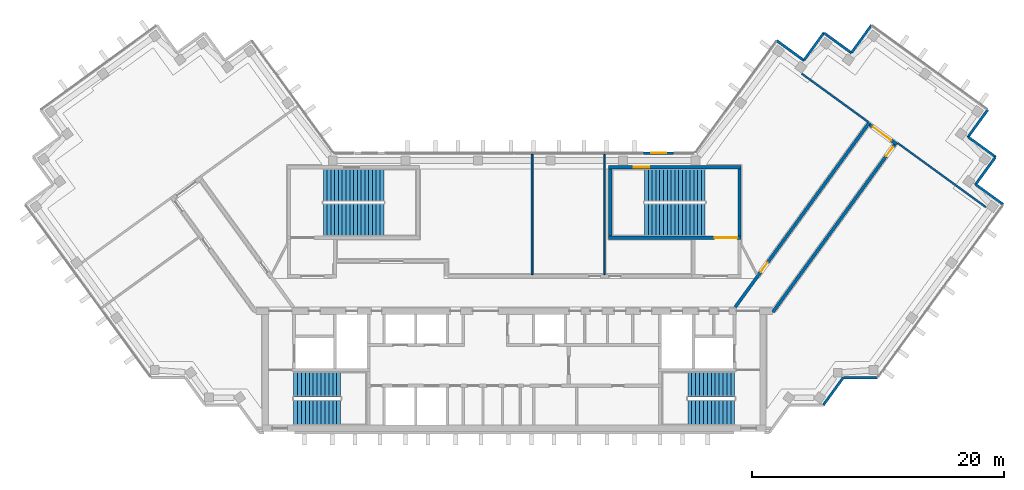
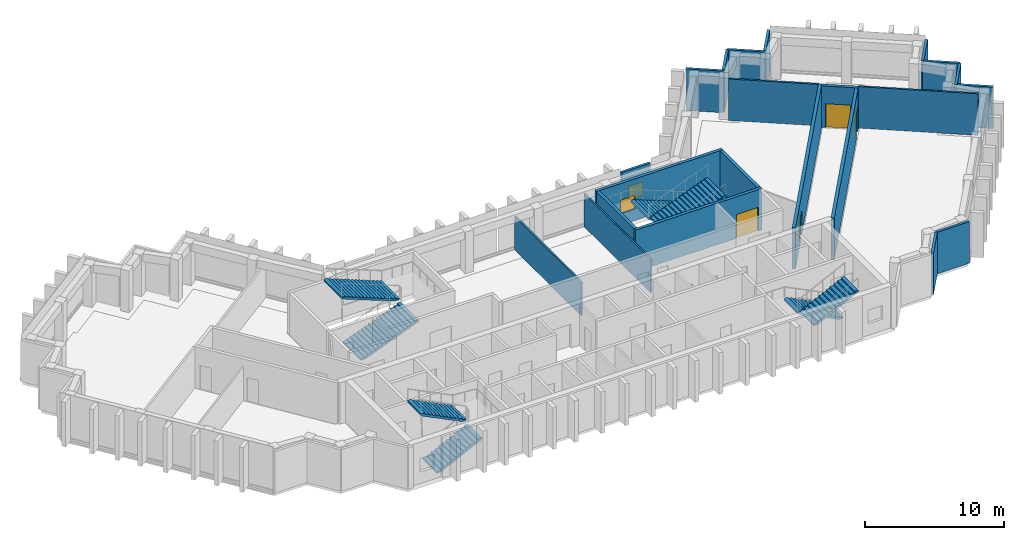
# One storey, part 7 of 9: 22 walls, 8 stair flights, 4 doors, 2 windows, 6 openings, 4 elements without a shape of their own.
"""IFC4 building model written with IfcOpenShell, lengths in metres."""

from ifc_helpers import new_model, si_unit, direction, frame, frame_2d, origin, place, context, subcontext, project, spatial, polyline, rectangle, outline, extrude, material, layer, layer_set, type_object, element, fill, aggregate, save


model = new_model("IFC4")

# Units and contexts
model_context = context("Model", 3, precision=1e-05, world=origin(), true_north=direction((0.0, 1.0)))
body_context = subcontext(model_context, "Body", "Model", "MODEL_VIEW")
ifc_project = project(units=[si_unit("LENGTHUNIT", "METRE"), si_unit("AREAUNIT", "SQUARE_METRE"), si_unit("VOLUMEUNIT", "CUBIC_METRE"), si_unit("PLANEANGLEUNIT", "RADIAN"), si_unit("MASSUNIT", "GRAM", prefix="KILO")], contexts=[model_context])

# Site, building, storey
site_placement = place(None, origin())
site = spatial("IfcSite", under=ifc_project, at=site_placement, CompositionType="ELEMENT")
building_placement = place(site_placement, origin())
building = spatial("IfcBuilding", under=site, at=building_placement, Name="Quipu Civic Tower", CompositionType="ELEMENT")
storey_placement = place(building_placement, frame((0.0, 0.0, 293.0)))
storey = spatial("IfcBuildingStorey", under=building, at=storey_placement, Name="L68", CompositionType="ELEMENT", Elevation=293.0)

# Walls
ifc_material_1 = material(Name="Double gypsum plasterboard with mineral wool")
ifc_layer_1 = layer(ifc_material_1, 0.14990234375)
ifc_layer_set_1 = layer_set([ifc_layer_1], Name="Double gypsum plasterboard with mineral wool")
wall_type_1 = type_object("IfcWallType", Name="Acoustic partition 150 plasterboard", PredefinedType="PARTITIONING", material=ifc_layer_set_1)
wall_1_placement = place(storey_placement, frame((28.0732421875, 13.577880859375, 0.0), z_axis=(0.0, 0.0, 1.0), x_axis=(-0.809000932727, 0.587807358619, 0.0)))
element("IfcWall", 1, at=wall_1_placement, inside=storey, type_object=wall_type_1, Name="Partition P01", PredefinedType="PARTITIONING", context=body_context, shape_type="SweptSolid", body=[
    extrude(rectangle(XDim=6.49560546875, YDim=0.14990234375, at=frame_2d((3.247802734375, 0.0))), origin(), (0.0, 0.0, 1.0), 3.64990234375),
])
wall_2_placement = place(storey_placement, frame((30.414794921875, 11.901611328125, 0.0), z_axis=(0.0, 0.0, 1.0), x_axis=(0.809020922653, -0.587779845444, 0.0)))
element("IfcWall", 2, at=wall_2_placement, inside=storey, type_object=wall_type_1, Name="Partition P04", PredefinedType="PARTITIONING", context=body_context, shape_type="SweptSolid", body=[
    extrude(rectangle(XDim=8.670166015625, YDim=0.14990234375, at=frame_2d((4.3349609375, 0.0))), origin(), (0.0, 0.0, 1.0), 3.64990234375),
])
wall_3_placement = place(storey_placement, frame((1.419921875, 1.449951171875, 0.0), z_axis=(0.0, 0.0, 1.0), x_axis=(0.0, 1.0, 0.0)))
element("IfcWall", 3, at=wall_3_placement, inside=storey, type_object=wall_type_1, Name="Partition P05", PredefinedType="PARTITIONING", context=body_context, shape_type="SweptSolid", body=[
    extrude(rectangle(XDim=9.550048828125, YDim=0.14990234375, at=frame_2d((4.77490234375, 0.0))), origin(), (0.0, 0.0, 1.0), 2.949951171875),
])

# Wall, opening, door
ifc_material_2 = material(Name="Concrete C70/85", Category="concrete")
ifc_layer_2 = layer(ifc_material_2, 0.25)
ifc_layer_set_2 = layer_set([ifc_layer_2], Name="Concrete C70/85")
wall_type_2 = type_object("IfcWallType", Name="Core wall 250", PredefinedType="SHEAR", material=ifc_layer_set_2)
wall_4_placement = place(storey_placement, frame((7.5, 4.375, 0.0), z_axis=(0.0, 0.0, 1.0), x_axis=(1.0, 0.0, 0.0)))
wall_4 = element("IfcWall", 4, at=wall_4_placement, inside=storey, type_object=wall_type_2, Name="Core wall", PredefinedType="SHEAR", context=body_context, shape_type="SweptSolid", body=[
    extrude(rectangle(XDim=10.5, YDim=0.25, at=frame_2d((5.25, 0.0))), origin(), (0.0, 0.0, 1.0), 3.64990234375),
])
opening_1_placement = place(wall_4_placement, frame((8.39990234375, 0.0, 0.0)))
opening_1 = element("IfcOpeningElement", 5, at=opening_1_placement, cuts=wall_4, Name="Opening CD-30", PredefinedType="OPENING", context=body_context, shape_type="SweptSolid", body=[
    extrude(rectangle(XDim=1.800048828125, YDim=2.10009765625, at=frame_2d((0.89990234375, 1.050048828125))), frame((0.0, 0.135009765625, 0.0), z_axis=(0.0, -1.0, 0.0), x_axis=(1.0, 0.0, 0.0)), (0.0, 0.0, 1.0), 0.27001953125),
])
ifc_material_3 = material(Name="Fire rated steel door", Category="steel")
door_type_1 = type_object("IfcDoorType", Name="Fire door FD90 double 1800 x 2100", OperationType="NOTDEFINED", PredefinedType="DOOR", material=ifc_material_3)
door_1_placement = place(opening_1_placement, origin())
door_1 = element("IfcDoor", 6, at=door_1_placement, inside=storey, type_object=door_type_1, Name="Door", OperationType="DOUBLE_DOOR_SINGLE_SWING", OverallHeight=2.10009765625, OverallWidth=1.800048828125, PredefinedType="DOOR", context=body_context, shape_type="SweptSolid", body=[
    extrude(rectangle(XDim=1.800048828125, YDim=2.10009765625, at=frame_2d((0.89990234375, 1.050048828125))), frame((0.0, 0.02490234375, 0.0), z_axis=(0.0, -1.0, 0.0), x_axis=(1.0, 0.0, 0.0)), (0.0, 0.0, 1.0), 0.050048828125),
])
fill(opening_1, door_1)

# Walls
for number, where, z_axis, x_axis, name in (
    (7, (7.625, 4.5, 0.0), (0.0, 0.0, 1.0), (0.0, 1.0, 0.0), "Core wall"),
    (8, (17.875, 4.5, 0.0), (0.0, 0.0, 1.0), (0.0, 1.0, 0.0), "Core wall"),
):
    element("IfcWall", number, at=place(storey_placement, frame(where, z_axis=z_axis, x_axis=x_axis)), inside=storey, type_object=wall_type_2, Name=name, PredefinedType="SHEAR", context=body_context, shape_type="SweptSolid", body=[
        extrude(rectangle(XDim=5.35009765625, YDim=0.25, at=frame_2d((2.675048828125, 0.0))), origin(), (0.0, 0.0, 1.0), 3.64990234375),
    ])

# Wall, opening, window
wall_5_placement = place(storey_placement, frame((7.5, 9.97509765625, 0.0), z_axis=(0.0, 0.0, 1.0), x_axis=(1.0, 0.0, 0.0)))
wall_5 = element("IfcWall", 9, at=wall_5_placement, inside=storey, type_object=wall_type_2, Name="Core wall", PredefinedType="SHEAR", context=body_context, shape_type="SweptSolid", body=[
    extrude(rectangle(XDim=10.5, YDim=0.25, at=frame_2d((5.25, 0.0))), origin(), (0.0, 0.0, 1.0), 3.64990234375),
])
opening_2_placement = place(wall_5_placement, frame((2.0, 0.0, 1.0)))
opening_2 = element("IfcOpeningElement", 10, at=opening_2_placement, cuts=wall_5, Name="Opening SV-4", PredefinedType="OPENING", context=body_context, shape_type="SweptSolid", body=[
    extrude(rectangle(XDim=1.199951171875, YDim=1.199951171875, at=frame_2d((0.60009765625, 0.60009765625))), frame((0.0, 0.135009765625, 0.0), z_axis=(0.0, -1.0, 0.0), x_axis=(1.0, 0.0, 0.0)), (0.0, 0.0, 1.0), 0.27001953125),
])
ifc_material_4 = material(Name="Aluminium louvre", Category="aluminium")
window_type_1 = type_object("IfcWindowType", Name="Stair ventilation louvre 1200 x 1200", PartitioningType="SINGLE_PANEL", PredefinedType="WINDOW", material=ifc_material_4)
window_1_placement = place(opening_2_placement, origin())
window_1 = element("IfcWindow", 11, at=window_1_placement, inside=storey, type_object=window_type_1, Name="Stair ventilation opening", OverallHeight=1.199951171875, OverallWidth=1.199951171875, PartitioningType="SINGLE_PANEL", PredefinedType="WINDOW", context=body_context, shape_type="SweptSolid", body=[
    extrude(rectangle(XDim=1.199951171875, YDim=1.199951171875, at=frame_2d((0.60009765625, 0.60009765625))), frame((0.0, 0.030029296875, 0.0), z_axis=(0.0, -1.0, 0.0), x_axis=(1.0, 0.0, 0.0)), (0.0, 0.0, 1.0), 0.06005859375),
])
fill(opening_2, window_1)

# Wall, opening, door
ifc_material_5 = material(Name="Concrete C50/60", Category="concrete")
ifc_layer_3 = layer(ifc_material_5, 0.25)
ifc_layer_set_3 = layer_set([ifc_layer_3], Name="Concrete C50/60")
wall_type_3 = type_object("IfcWallType", Name="Corridor wall 250 concrete", PredefinedType="SOLIDWALL", material=ifc_layer_set_3)
wall_6_placement = place(storey_placement, frame((17.544921875, -1.124755859375, 0.0), z_axis=(0.0, 0.0, 1.0), x_axis=(0.58779555165, 0.809009511354, 0.0)))
wall_6 = element("IfcWall", 12, at=wall_6_placement, inside=storey, type_object=wall_type_3, Name="Corridor wall C01", PredefinedType="SOLIDWALL", context=body_context, shape_type="SweptSolid", body=[
    extrude(rectangle(XDim=18.10302734375, YDim=0.25, at=frame_2d((9.051513671875, 0.0))), origin(), (0.0, 0.0, 1.0), 3.64990234375),
])
opening_3_placement = place(wall_6_placement, frame((3.44140625, 0.0, 0.0)))
opening_3 = element("IfcOpeningElement", 13, at=opening_3_placement, cuts=wall_6, Name="Opening D001", PredefinedType="OPENING", context=body_context, shape_type="SweptSolid", body=[
    extrude(rectangle(XDim=0.89990234375, YDim=2.10009765625, at=frame_2d((0.449951171875, 1.050048828125))), frame((0.0, 0.135009765625, 0.0), z_axis=(0.0, -1.0, 0.0), x_axis=(1.0, 0.0, 0.0)), (0.0, 0.0, 1.0), 0.27001953125),
])
ifc_material_6 = material(Name="Fire rated timber door set with metal frame", Category="wood")
door_type_2 = type_object("IfcDoorType", Name="Single door 900 x 2100 FD60", OperationType="NOTDEFINED", PredefinedType="DOOR", material=ifc_material_6)
door_2_placement = place(opening_3_placement, origin())
door_2 = element("IfcDoor", 14, at=door_2_placement, inside=storey, type_object=door_type_2, Name="Door D001", OperationType="SINGLE_SWING_LEFT", OverallHeight=2.10009765625, OverallWidth=0.89990234375, PredefinedType="DOOR", context=body_context, shape_type="SweptSolid", body=[
    extrude(rectangle(XDim=0.89990234375, YDim=2.10009765625, at=frame_2d((0.449951171875, 1.050048828125))), frame((0.0, 0.02490234375, 0.0), z_axis=(0.0, -1.0, 0.0), x_axis=(1.0, 0.0, 0.0)), (0.0, 0.0, 1.0), 0.050048828125),
])
fill(opening_3, door_2)

wall_7_placement = place(storey_placement, frame((28.21337890625, 13.34619140625, 0.0), z_axis=(0.0, 0.0, 1.0), x_axis=(0.809006914995, -0.587799125119, 0.0)))
wall_7 = element("IfcWall", 15, at=wall_7_placement, inside=storey, type_object=wall_type_3, Name="Corridor wall C02", PredefinedType="SOLIDWALL", context=body_context, shape_type="SweptSolid", body=[
    extrude(rectangle(XDim=2.64990234375, YDim=0.25, at=frame_2d((1.324951171875, 0.0))), origin(), (0.0, 0.0, 1.0), 3.64990234375),
])
opening_4_placement = place(wall_7_placement, frame((0.30029296875, 0.0, 0.0)))
opening_4 = element("IfcOpeningElement", 16, at=opening_4_placement, cuts=wall_7, Name="Opening D003", PredefinedType="OPENING", context=body_context, shape_type="SweptSolid", body=[
    extrude(rectangle(XDim=1.800048828125, YDim=2.10009765625, at=frame_2d((0.89990234375, 1.050048828125))), frame((0.0, 0.135009765625, 0.0), z_axis=(0.0, -1.0, 0.0), x_axis=(1.0, 0.0, 0.0)), (0.0, 0.0, 1.0), 0.27001953125),
])
ifc_material_7 = material(Name="Fire rated timber door set with metal frame", Category="wood")
door_type_3 = type_object("IfcDoorType", Name="Double door 1800 x 2100 FD60", OperationType="DOUBLE_DOOR_SINGLE_SWING", PredefinedType="DOOR", material=ifc_material_7)
door_3_placement = place(opening_4_placement, origin())
door_3 = element("IfcDoor", 17, at=door_3_placement, inside=storey, type_object=door_type_3, Name="Door D003", OperationType="DOUBLE_DOOR_SINGLE_SWING", OverallHeight=2.10009765625, OverallWidth=1.800048828125, PredefinedType="DOOR", context=body_context, shape_type="SweptSolid", body=[
    extrude(rectangle(XDim=1.800048828125, YDim=2.10009765625, at=frame_2d((0.89990234375, 1.050048828125))), frame((0.0, 0.02490234375, 0.0), z_axis=(0.0, -1.0, 0.0), x_axis=(1.0, 0.0, 0.0)), (0.0, 0.0, 1.0), 0.050048828125),
])
fill(opening_4, door_3)

wall_8_placement = place(storey_placement, frame((30.1826171875, 11.760986328125, 0.0), z_axis=(0.0, 0.0, 1.0), x_axis=(-0.587781762867, -0.80901952958, 0.0)))
wall_8 = element("IfcWall", 18, at=wall_8_placement, inside=storey, type_object=wall_type_3, Name="Corridor wall C03", PredefinedType="SOLIDWALL", context=body_context, shape_type="SweptSolid", body=[
    extrude(rectangle(XDim=16.42041015625, YDim=0.25, at=frame_2d((8.210205078125, 0.0))), origin(), (0.0, 0.0, 1.0), 3.64990234375),
])
opening_5_placement = place(wall_8_placement, frame((0.224609375, 0.0, 0.0)))
opening_5 = element("IfcOpeningElement", 19, at=opening_5_placement, cuts=wall_8, Name="Opening D002", PredefinedType="OPENING", context=body_context, shape_type="SweptSolid", body=[
    extrude(rectangle(XDim=0.89990234375, YDim=2.10009765625, at=frame_2d((0.449951171875, 1.050048828125))), frame((0.0, 0.135009765625, 0.0), z_axis=(0.0, -1.0, 0.0), x_axis=(1.0, 0.0, 0.0)), (0.0, 0.0, 1.0), 0.27001953125),
])
door_4_placement = place(opening_5_placement, origin())
door_4 = element("IfcDoor", 20, at=door_4_placement, inside=storey, type_object=door_type_2, Name="Door D002", OperationType="SINGLE_SWING_LEFT", OverallHeight=2.10009765625, OverallWidth=0.89990234375, PredefinedType="DOOR", context=body_context, shape_type="SweptSolid", body=[
    extrude(rectangle(XDim=0.89990234375, YDim=2.10009765625, at=frame_2d((0.449951171875, 1.050048828125))), frame((0.0, 0.02490234375, 0.0), z_axis=(0.0, -1.0, 0.0), x_axis=(1.0, 0.0, 0.0)), (0.0, 0.0, 1.0), 0.050048828125),
])
fill(opening_5, door_4)

# Walls
ifc_material_8 = material(Name="Gypsum plasterboard on light gauge framing")
ifc_layer_4 = layer(ifc_material_8, 0.1201171875)
ifc_layer_set_4 = layer_set([ifc_layer_4], Name="Gypsum plasterboard on light gauge framing")
wall_type_4 = type_object("IfcWallType", Name="Partition 120 plasterboard", PredefinedType="PARTITIONING", material=ifc_layer_set_4)
wall_9_placement = place(storey_placement, frame((7.177978515625, 1.449951171875, 0.0), z_axis=(0.0, 0.0, 1.0), x_axis=(0.0, 1.0, 0.0)))
element("IfcWall", 21, at=wall_9_placement, inside=storey, type_object=wall_type_4, Name="Partition P07", PredefinedType="PARTITIONING", context=body_context, shape_type="SweptSolid", body=[
    extrude(rectangle(XDim=9.550048828125, YDim=0.1201171875, at=frame_2d((4.77490234375, 0.0))), origin(), (0.0, 0.0, 1.0), 2.949951171875),
])
ifc_material_9 = material(Name="Precast concrete C40/50", Category="concrete")
wall_type_5 = type_object("IfcWallType", Name="Precast cladding wall", PredefinedType="SOLIDWALL", material=ifc_material_9)
wall_10_placement = place(storey_placement, frame((24.533203125, -8.90869140625, 0.0), z_axis=(0.0, 0.0, 1.0), x_axis=(0.587720002413, 0.809064397168, 0.0)))
element("IfcWall", 22, at=wall_10_placement, inside=storey, type_object=wall_type_5, Name="Precast cladding wall L68 21", PredefinedType="SOLIDWALL", context=body_context, shape_type="SweptSolid", body=[
    extrude(rectangle(XDim=2.7001953125, YDim=0.199951171875, at=frame_2d((1.35009765625, 0.0))), origin(), (0.0, 0.0, 1.0), 3.64990234375),
])
for number, where, z_axis, x_axis, name in (
    (23, (26.1298828125, -6.71923828125, 0.0), (0.0, 0.0, 1.0), (1.0, 0.0, 0.0), "Precast cladding wall L68 22"),
    (24, (38.813720703125, 7.010498046875, 0.0), (0.0, 0.0, 1.0), (-0.809033161865, 0.587762999008, 0.0), "Precast cladding wall L68 24"),
    (25, (36.60205078125, 8.580322265625, 0.0), (0.0, 0.0, 1.0), (0.587822180636, 0.808990163075, 0.0), "Precast cladding wall L68 25"),
    (26, (38.21630859375, 10.78173828125, 0.0), (0.0, 0.0, 1.0), (-0.809033161865, 0.587762999008, 0.0), "Precast cladding wall L68 26"),
    (27, (36.0048828125, 12.3515625, 0.0), (0.0, 0.0, 1.0), (0.587762999008, 0.809033161865, 0.0), "Precast cladding wall L68 27"),
):
    element("IfcWall", number, at=place(storey_placement, frame(where, z_axis=z_axis, x_axis=x_axis)), inside=storey, type_object=wall_type_5, Name=name, PredefinedType="SOLIDWALL", context=body_context, shape_type="SweptSolid", body=[
        extrude(rectangle(XDim=2.699951171875, YDim=0.199951171875, at=frame_2d((1.35009765625, 0.0))), origin(), (0.0, 0.0, 1.0), 3.64990234375),
    ])
for number, where, z_axis, x_axis, name in (
    (28, (28.3544921875, 21.247314453125, 0.0), (0.0, 0.0, 1.0), (-0.587720002413, -0.809064397168, 0.0), "Precast cladding wall L68 29"),
    (29, (26.78466796875, 19.03564453125, 0.0), (0.0, 0.0, 1.0), (-0.809064397168, 0.587720002413, 0.0), "Precast cladding wall L68 30"),
):
    element("IfcWall", number, at=place(storey_placement, frame(where, z_axis=z_axis, x_axis=x_axis)), inside=storey, type_object=wall_type_5, Name=name, PredefinedType="SOLIDWALL", context=body_context, shape_type="SweptSolid", body=[
        extrude(rectangle(XDim=2.7001953125, YDim=0.199951171875, at=frame_2d((1.35009765625, 0.0))), origin(), (0.0, 0.0, 1.0), 3.64990234375),
    ])
for number, where, z_axis, x_axis, name in (
    (30, (24.583251953125, 20.64990234375, 0.0), (0.0, 0.0, 1.0), (-0.587762999008, -0.809033161865, 0.0), "Precast cladding wall L68 31"),
    (31, (23.01318359375, 18.438232421875, 0.0), (0.0, 0.0, 1.0), (-0.808990163075, 0.587822180636, 0.0), "Precast cladding wall L68 32"),
):
    element("IfcWall", number, at=place(storey_placement, frame(where, z_axis=z_axis, x_axis=x_axis)), inside=storey, type_object=wall_type_5, Name=name, PredefinedType="SOLIDWALL", context=body_context, shape_type="SweptSolid", body=[
        extrude(rectangle(XDim=2.699951171875, YDim=0.199951171875, at=frame_2d((1.35009765625, 0.0))), origin(), (0.0, 0.0, 1.0), 3.64990234375),
    ])

# Wall, opening, window
wall_11_placement = place(storey_placement, frame((12.655029296875, 11.10009765625, 0.0), z_axis=(0.0, 0.0, 1.0), x_axis=(-1.0, 0.0, 0.0)))
wall_11 = element("IfcWall", 32, at=wall_11_placement, inside=storey, type_object=wall_type_5, Name="Vent surround SF-L66-2", PredefinedType="SOLIDWALL", context=body_context, shape_type="SweptSolid", body=[
    extrude(rectangle(XDim=2.3916015625, YDim=0.199951171875, at=frame_2d((1.19580078125, 0.0))), origin(), (0.0, 0.0, 1.0), 3.64990234375),
])
opening_6_placement = place(wall_11_placement, frame((0.595703125, 0.0, 1.0)))
opening_6 = element("IfcOpeningElement", 33, at=opening_6_placement, cuts=wall_11, Name="Opening SF-L66-2", PredefinedType="OPENING", context=body_context, shape_type="SweptSolid", body=[
    extrude(rectangle(XDim=1.199951171875, YDim=1.199951171875, at=frame_2d((0.60009765625, 0.60009765625))), frame((0.0, 0.10986328125, 0.0), z_axis=(0.0, -1.0, 0.0), x_axis=(1.0, 0.0, 0.0)), (0.0, 0.0, 1.0), 0.219970703125),
])
ifc_material_10 = material(Name="Anodised aluminium louvre", Category="aluminium")
window_type_2 = type_object("IfcWindowType", Name="Stair vent louvre window P3", PartitioningType="SINGLE_PANEL", PredefinedType="WINDOW", material=ifc_material_10)
window_2_placement = place(opening_6_placement, origin())
window_2 = element("IfcWindow", 34, at=window_2_placement, inside=storey, type_object=window_type_2, Name="Stair vent louvre SF-L66-2", OverallHeight=1.199951171875, OverallWidth=1.199951171875, PartitioningType="SINGLE_PANEL", PredefinedType="WINDOW", context=body_context, shape_type="SweptSolid", body=[
    extrude(rectangle(XDim=1.199951171875, YDim=1.199951171875, at=frame_2d((0.60009765625, 0.60009765625))), frame((0.0, 0.030029296875, 0.0), z_axis=(0.0, -1.0, 0.0), x_axis=(1.0, 0.0, 0.0)), (0.0, 0.0, 1.0), 0.06005859375),
])
fill(opening_6, window_2)

# Stair, stair flights
ifc_material_11 = material(Name="Concrete C40/50", Category="concrete")
stair_type_1 = type_object("IfcStairType", Name="Half turn stair 2000", PredefinedType="HALF_TURN_STAIR", material=ifc_material_11)
stair_1_placement = place(storey_placement, origin())
stair_1 = element("IfcStair", 35, at=stair_1_placement, inside=storey, type_object=stair_type_1, Name="Exit stair 1", PredefinedType="HALF_TURN_STAIR")
ifc_material_12 = material(Name="Concrete C40/50", Category="concrete")
stair_flight_type_1 = type_object("IfcStairFlightType", Name="Stair flight 2000", PredefinedType="STRAIGHT", material=ifc_material_12)
stair_flight_1_placement = place(storey_placement, frame((-17.5, -9.5, 0.0), z_axis=(0.0, 0.0, 1.0), x_axis=(1.0, 0.0, 0.0)))
stair_flight_1 = element("IfcStairFlight", 36, at=stair_flight_1_placement, type_object=stair_flight_type_1, Name="ST-1 flight 1", NumberOfRisers=13, NumberOfTreads=12, PredefinedType="STRAIGHT", RiserHeight=0.153846154, TreadLength=0.31, context=body_context, shape_type="SweptSolid", body=[
    extrude(outline(polyline([(0.0, 0.0), (0.0, 0.15380859375), (0.31005859375, 0.15380859375), (0.31005859375, 0.3076171875), (0.6201171875, 0.3076171875), (0.6201171875, 0.46142578125), (0.929931640625, 0.46142578125), (0.929931640625, 0.615478515625), (1.239990234375, 0.615478515625), (1.239990234375, 0.769287109375), (1.550048828125, 0.769287109375), (1.550048828125, 0.923095703125), (1.860107421875, 0.923095703125), (1.860107421875, 1.076904296875), (2.169921875, 1.076904296875), (2.169921875, 1.230712890625), (2.47998046875, 1.230712890625), (2.47998046875, 1.384521484375), (2.7900390625, 1.384521484375), (2.7900390625, 1.53857421875), (3.10009765625, 1.53857421875), (3.10009765625, 1.6923828125), (3.409912109375, 1.6923828125), (3.409912109375, 1.84619140625), (3.719970703125, 1.84619140625), (3.719970703125, 2.0), (3.719970703125, 1.6787109375), (0.337158203125, 0.0), (0.0, 0.0)])), frame((0.0, 1.0, 0.0), z_axis=(0.0, -1.0, 0.0), x_axis=(1.0, 0.0, 0.0)), (0.0, 0.0, 1.0), 2.0),
])
stair_flight_2_placement = place(storey_placement, frame((-13.780029296875, -7.25, 2.0), z_axis=(0.0, 0.0, 1.0), x_axis=(-1.0, 0.0, 0.0)))
stair_flight_2 = element("IfcStairFlight", 37, at=stair_flight_2_placement, type_object=stair_flight_type_1, Name="ST-1 flight 2", NumberOfRisers=13, NumberOfTreads=12, PredefinedType="STRAIGHT", RiserHeight=0.153846154, TreadLength=0.31, context=body_context, shape_type="SweptSolid", body=[
    extrude(outline(polyline([(0.0, 0.0), (0.0, 0.15380859375), (0.31005859375, 0.15380859375), (0.31005859375, 0.3076171875), (0.6201171875, 0.3076171875), (0.6201171875, 0.46142578125), (0.929931640625, 0.46142578125), (0.929931640625, 0.615478515625), (1.239990234375, 0.615478515625), (1.239990234375, 0.769287109375), (1.550048828125, 0.769287109375), (1.550048828125, 0.923095703125), (1.860107421875, 0.923095703125), (1.860107421875, 1.076904296875), (2.169921875, 1.076904296875), (2.169921875, 1.230712890625), (2.47998046875, 1.230712890625), (2.47998046875, 1.384521484375), (2.7900390625, 1.384521484375), (2.7900390625, 1.53857421875), (3.10009765625, 1.53857421875), (3.10009765625, 1.6923828125), (3.409912109375, 1.6923828125), (3.409912109375, 1.84619140625), (3.719970703125, 1.84619140625), (3.719970703125, 2.0), (3.719970703125, 1.6787109375), (0.337158203125, 0.0), (0.0, 0.0)])), frame((0.0, 1.0, 0.0), z_axis=(0.0, -1.0, 0.0), x_axis=(1.0, 0.0, 0.0)), (0.0, 0.0, 1.0), 2.0),
])
aggregate(stair_1, [stair_flight_1, stair_flight_2])

stair_2_placement = place(storey_placement, origin())
stair_2 = element("IfcStair", 38, at=stair_2_placement, inside=storey, type_object=stair_type_1, Name="Exit stair 2", PredefinedType="HALF_TURN_STAIR")
stair_flight_3_placement = place(storey_placement, frame((17.5, -7.25, 0.0), z_axis=(0.0, 0.0, 1.0), x_axis=(-1.0, 0.0, 0.0)))
stair_flight_3 = element("IfcStairFlight", 39, at=stair_flight_3_placement, type_object=stair_flight_type_1, Name="ST-2 flight 1", NumberOfRisers=13, NumberOfTreads=12, PredefinedType="STRAIGHT", RiserHeight=0.153846154, TreadLength=0.31, context=body_context, shape_type="SweptSolid", body=[
    extrude(outline(polyline([(0.0, 0.0), (0.0, 0.15380859375), (0.31005859375, 0.15380859375), (0.31005859375, 0.3076171875), (0.6201171875, 0.3076171875), (0.6201171875, 0.46142578125), (0.929931640625, 0.46142578125), (0.929931640625, 0.615478515625), (1.239990234375, 0.615478515625), (1.239990234375, 0.769287109375), (1.550048828125, 0.769287109375), (1.550048828125, 0.923095703125), (1.860107421875, 0.923095703125), (1.860107421875, 1.076904296875), (2.169921875, 1.076904296875), (2.169921875, 1.230712890625), (2.47998046875, 1.230712890625), (2.47998046875, 1.384521484375), (2.7900390625, 1.384521484375), (2.7900390625, 1.53857421875), (3.10009765625, 1.53857421875), (3.10009765625, 1.6923828125), (3.409912109375, 1.6923828125), (3.409912109375, 1.84619140625), (3.719970703125, 1.84619140625), (3.719970703125, 2.0), (3.719970703125, 1.6787109375), (0.337158203125, 0.0), (0.0, 0.0)])), frame((0.0, 1.0, 0.0), z_axis=(0.0, -1.0, 0.0), x_axis=(1.0, 0.0, 0.0)), (0.0, 0.0, 1.0), 2.0),
])
stair_flight_4_placement = place(storey_placement, frame((13.780029296875, -9.5, 2.0), z_axis=(0.0, 0.0, 1.0), x_axis=(1.0, 0.0, 0.0)))
stair_flight_4 = element("IfcStairFlight", 40, at=stair_flight_4_placement, type_object=stair_flight_type_1, Name="ST-2 flight 2", NumberOfRisers=13, NumberOfTreads=12, PredefinedType="STRAIGHT", RiserHeight=0.153846154, TreadLength=0.31, context=body_context, shape_type="SweptSolid", body=[
    extrude(outline(polyline([(0.0, 0.0), (0.0, 0.15380859375), (0.31005859375, 0.15380859375), (0.31005859375, 0.3076171875), (0.6201171875, 0.3076171875), (0.6201171875, 0.46142578125), (0.929931640625, 0.46142578125), (0.929931640625, 0.615478515625), (1.239990234375, 0.615478515625), (1.239990234375, 0.769287109375), (1.550048828125, 0.769287109375), (1.550048828125, 0.923095703125), (1.860107421875, 0.923095703125), (1.860107421875, 1.076904296875), (2.169921875, 1.076904296875), (2.169921875, 1.230712890625), (2.47998046875, 1.230712890625), (2.47998046875, 1.384521484375), (2.7900390625, 1.384521484375), (2.7900390625, 1.53857421875), (3.10009765625, 1.53857421875), (3.10009765625, 1.6923828125), (3.409912109375, 1.6923828125), (3.409912109375, 1.84619140625), (3.719970703125, 1.84619140625), (3.719970703125, 2.0), (3.719970703125, 1.6787109375), (0.337158203125, 0.0), (0.0, 0.0)])), frame((0.0, 1.0, 0.0), z_axis=(0.0, -1.0, 0.0), x_axis=(1.0, 0.0, 0.0)), (0.0, 0.0, 1.0), 2.0),
])
aggregate(stair_2, [stair_flight_3, stair_flight_4])

ifc_material_13 = material(Name="Concrete C40/50", Category="concrete")
stair_type_2 = type_object("IfcStairType", Name="Half turn stair 2600", PredefinedType="HALF_TURN_STAIR", material=ifc_material_13)
stair_3_placement = place(storey_placement, origin())
stair_3 = element("IfcStair", 41, at=stair_3_placement, inside=storey, type_object=stair_type_2, Name="Exit stair 3", PredefinedType="HALF_TURN_STAIR")
ifc_material_14 = material(Name="Concrete C40/50", Category="concrete")
stair_flight_type_2 = type_object("IfcStairFlightType", Name="Stair flight 2600", PredefinedType="STRAIGHT", material=ifc_material_14)
stair_flight_5_placement = place(storey_placement, frame((-15.14990234375, 5.800048828125, 0.0), z_axis=(0.0, 0.0, 1.0), x_axis=(1.0, 0.0, 0.0)))
stair_flight_5 = element("IfcStairFlight", 42, at=stair_flight_5_placement, type_object=stair_flight_type_2, Name="ST-3 flight 1", NumberOfRisers=17, NumberOfTreads=16, PredefinedType="STRAIGHT", RiserHeight=0.117647059, TreadLength=0.3, context=body_context, shape_type="SweptSolid", body=[
    extrude(outline(polyline([(0.0, 0.0), (0.0, 0.11767578125), (0.300048828125, 0.11767578125), (0.300048828125, 0.2353515625), (0.60009765625, 0.2353515625), (0.60009765625, 0.35302734375), (0.89990234375, 0.35302734375), (0.89990234375, 0.470703125), (1.199951171875, 0.470703125), (1.199951171875, 0.588134765625), (1.5, 0.588134765625), (1.5, 0.705810546875), (1.800048828125, 0.705810546875), (1.800048828125, 0.823486328125), (2.10009765625, 0.823486328125), (2.10009765625, 0.941162109375), (2.39990234375, 0.941162109375), (2.39990234375, 1.058837890625), (2.699951171875, 1.058837890625), (2.699951171875, 1.176513671875), (3.0, 1.176513671875), (3.0, 1.294189453125), (3.300048828125, 1.294189453125), (3.300048828125, 1.411865234375), (3.60009765625, 1.411865234375), (3.60009765625, 1.529296875), (3.89990234375, 1.529296875), (3.89990234375, 1.64697265625), (4.199951171875, 1.64697265625), (4.199951171875, 1.7646484375), (4.5, 1.7646484375), (4.5, 1.88232421875), (4.800048828125, 1.88232421875), (4.800048828125, 2.0), (4.800048828125, 1.721435546875), (0.41064453125, 0.0), (0.0, 0.0)])), frame((0.0, 1.300048828125, 0.0), z_axis=(0.0, -1.0, 0.0), x_axis=(1.0, 0.0, 0.0)), (0.0, 0.0, 1.0), 2.60009765625),
])
stair_flight_6_placement = place(storey_placement, frame((-10.35009765625, 8.550048828125, 2.0), z_axis=(0.0, 0.0, 1.0), x_axis=(-1.0, 0.0, 0.0)))
stair_flight_6 = element("IfcStairFlight", 43, at=stair_flight_6_placement, type_object=stair_flight_type_2, Name="ST-3 flight 2", NumberOfRisers=17, NumberOfTreads=16, PredefinedType="STRAIGHT", RiserHeight=0.117647059, TreadLength=0.3, context=body_context, shape_type="SweptSolid", body=[
    extrude(outline(polyline([(0.0, 0.0), (0.0, 0.11767578125), (0.300048828125, 0.11767578125), (0.300048828125, 0.2353515625), (0.60009765625, 0.2353515625), (0.60009765625, 0.35302734375), (0.89990234375, 0.35302734375), (0.89990234375, 0.470703125), (1.199951171875, 0.470703125), (1.199951171875, 0.588134765625), (1.5, 0.588134765625), (1.5, 0.705810546875), (1.800048828125, 0.705810546875), (1.800048828125, 0.823486328125), (2.10009765625, 0.823486328125), (2.10009765625, 0.941162109375), (2.39990234375, 0.941162109375), (2.39990234375, 1.058837890625), (2.699951171875, 1.058837890625), (2.699951171875, 1.176513671875), (3.0, 1.176513671875), (3.0, 1.294189453125), (3.300048828125, 1.294189453125), (3.300048828125, 1.411865234375), (3.60009765625, 1.411865234375), (3.60009765625, 1.529296875), (3.89990234375, 1.529296875), (3.89990234375, 1.64697265625), (4.199951171875, 1.64697265625), (4.199951171875, 1.7646484375), (4.5, 1.7646484375), (4.5, 1.88232421875), (4.800048828125, 1.88232421875), (4.800048828125, 2.0), (4.800048828125, 1.721435546875), (0.41064453125, 0.0), (0.0, 0.0)])), frame((0.0, 1.300048828125, 0.0), z_axis=(0.0, -1.0, 0.0), x_axis=(1.0, 0.0, 0.0)), (0.0, 0.0, 1.0), 2.60009765625),
])
aggregate(stair_3, [stair_flight_5, stair_flight_6])

stair_4_placement = place(storey_placement, origin())
stair_4 = element("IfcStair", 44, at=stair_4_placement, inside=storey, type_object=stair_type_2, Name="Exit stair 4", PredefinedType="HALF_TURN_STAIR")
stair_flight_7_placement = place(storey_placement, frame((15.14990234375, 8.550048828125, 0.0), z_axis=(0.0, 0.0, 1.0), x_axis=(-1.0, 0.0, 0.0)))
stair_flight_7 = element("IfcStairFlight", 45, at=stair_flight_7_placement, type_object=stair_flight_type_2, Name="ST-4 flight 1", NumberOfRisers=17, NumberOfTreads=16, PredefinedType="STRAIGHT", RiserHeight=0.117647059, TreadLength=0.3, context=body_context, shape_type="SweptSolid", body=[
    extrude(outline(polyline([(0.0, 0.0), (0.0, 0.11767578125), (0.300048828125, 0.11767578125), (0.300048828125, 0.2353515625), (0.60009765625, 0.2353515625), (0.60009765625, 0.35302734375), (0.89990234375, 0.35302734375), (0.89990234375, 0.470703125), (1.199951171875, 0.470703125), (1.199951171875, 0.588134765625), (1.5, 0.588134765625), (1.5, 0.705810546875), (1.800048828125, 0.705810546875), (1.800048828125, 0.823486328125), (2.10009765625, 0.823486328125), (2.10009765625, 0.941162109375), (2.39990234375, 0.941162109375), (2.39990234375, 1.058837890625), (2.699951171875, 1.058837890625), (2.699951171875, 1.176513671875), (3.0, 1.176513671875), (3.0, 1.294189453125), (3.300048828125, 1.294189453125), (3.300048828125, 1.411865234375), (3.60009765625, 1.411865234375), (3.60009765625, 1.529296875), (3.89990234375, 1.529296875), (3.89990234375, 1.64697265625), (4.199951171875, 1.64697265625), (4.199951171875, 1.7646484375), (4.5, 1.7646484375), (4.5, 1.88232421875), (4.800048828125, 1.88232421875), (4.800048828125, 2.0), (4.800048828125, 1.721435546875), (0.41064453125, 0.0), (0.0, 0.0)])), frame((0.0, 1.300048828125, 0.0), z_axis=(0.0, -1.0, 0.0), x_axis=(1.0, 0.0, 0.0)), (0.0, 0.0, 1.0), 2.60009765625),
])
stair_flight_8_placement = place(storey_placement, frame((10.35009765625, 5.800048828125, 2.0), z_axis=(0.0, 0.0, 1.0), x_axis=(1.0, 0.0, 0.0)))
stair_flight_8 = element("IfcStairFlight", 46, at=stair_flight_8_placement, type_object=stair_flight_type_2, Name="ST-4 flight 2", NumberOfRisers=17, NumberOfTreads=16, PredefinedType="STRAIGHT", RiserHeight=0.117647059, TreadLength=0.3, context=body_context, shape_type="SweptSolid", body=[
    extrude(outline(polyline([(0.0, 0.0), (0.0, 0.11767578125), (0.300048828125, 0.11767578125), (0.300048828125, 0.2353515625), (0.60009765625, 0.2353515625), (0.60009765625, 0.35302734375), (0.89990234375, 0.35302734375), (0.89990234375, 0.470703125), (1.199951171875, 0.470703125), (1.199951171875, 0.588134765625), (1.5, 0.588134765625), (1.5, 0.705810546875), (1.800048828125, 0.705810546875), (1.800048828125, 0.823486328125), (2.10009765625, 0.823486328125), (2.10009765625, 0.941162109375), (2.39990234375, 0.941162109375), (2.39990234375, 1.058837890625), (2.699951171875, 1.058837890625), (2.699951171875, 1.176513671875), (3.0, 1.176513671875), (3.0, 1.294189453125), (3.300048828125, 1.294189453125), (3.300048828125, 1.411865234375), (3.60009765625, 1.411865234375), (3.60009765625, 1.529296875), (3.89990234375, 1.529296875), (3.89990234375, 1.64697265625), (4.199951171875, 1.64697265625), (4.199951171875, 1.7646484375), (4.5, 1.7646484375), (4.5, 1.88232421875), (4.800048828125, 1.88232421875), (4.800048828125, 2.0), (4.800048828125, 1.721435546875), (0.41064453125, 0.0), (0.0, 0.0)])), frame((0.0, 1.300048828125, 0.0), z_axis=(0.0, -1.0, 0.0), x_axis=(1.0, 0.0, 0.0)), (0.0, 0.0, 1.0), 2.60009765625),
])
aggregate(stair_4, [stair_flight_7, stair_flight_8])

save(model, "model.ifc")
